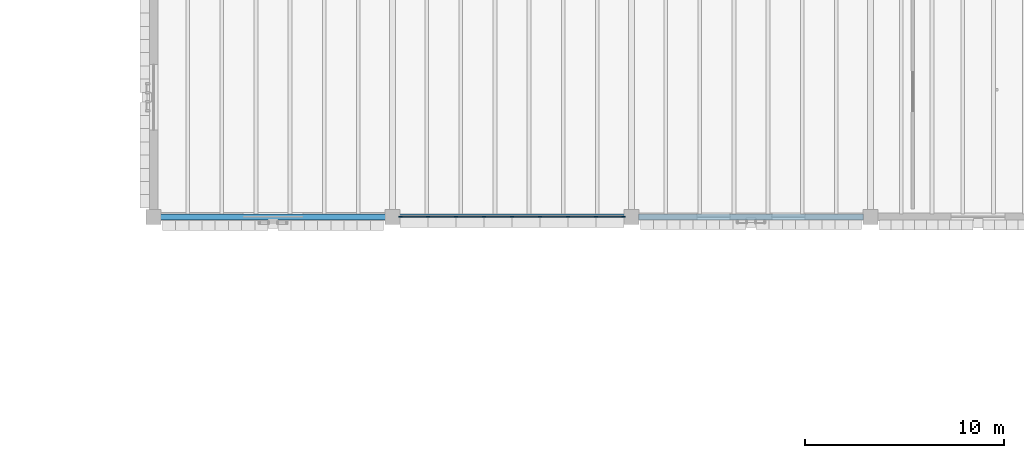
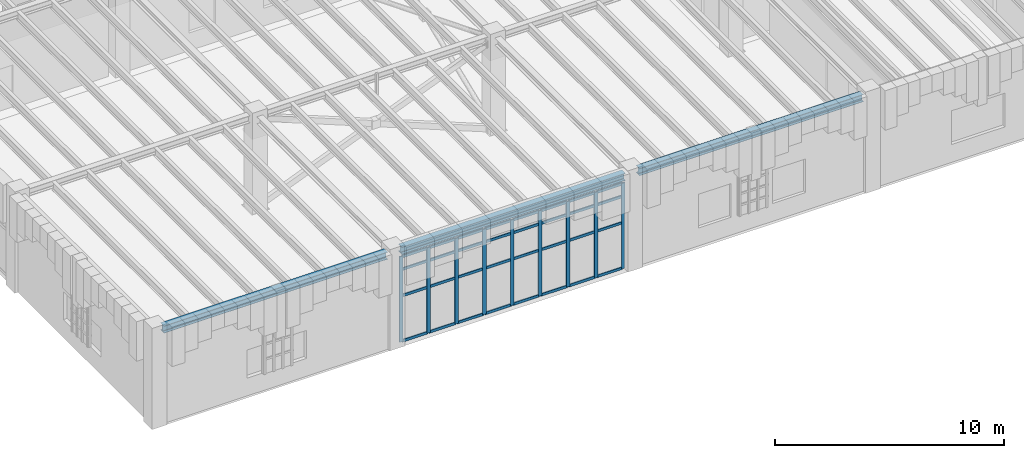
# One storey, part 33 of 103: 41 members, 3 beams, 1 element without a shape of its own.
"""IFC4 building model written with IfcOpenShell, lengths in metres."""

import ifcopenshell
import ifcopenshell.guid

model = None  # the IFC model being written
_history = None  # IfcOwnerHistory: only IFC2X3 demands one
_inside = {}  # id of a spatial element -> (the spatial element, [elements in it])
_under = {}  # id of a project, library or spatial element -> (it, [spatial elements below it])
_declared = {}  # id of a project -> (the project, [libraries it declares])
_typed = {}  # id of a type object -> (the type object, [elements of that type])
_made_of = {}  # id of a material, layer set ... -> (it, [elements and type objects made of it])


def new_model(schema):
    """Start an empty IFC model of exactly this schema.

    Asked for "IFC4X3", IfcOpenShell would pick the latest addendum, in which some entities
    have other attributes; the version numbers below select the first issue.
    IFC2X3 requires an IfcOwnerHistory on every rooted entity: one is made here for all.
    """
    global model, _history
    if schema == "IFC4X3":
        model = ifcopenshell.file(schema_version=(4, 3, 0, 0))
    else:
        model = ifcopenshell.file(schema=schema)
    _inside.clear()
    _under.clear()
    _declared.clear()
    _typed.clear()
    _made_of.clear()
    _history = None
    if model.schema == "IFC2X3":
        org = make("IfcOrganization", Name="unknown")
        user = make(
            "IfcPersonAndOrganization",
            ThePerson=make("IfcPerson", FamilyName="unknown"),
            TheOrganization=org,
        )
        app = make(
            "IfcApplication",
            ApplicationDeveloper=org,
            Version="unknown",
            ApplicationFullName="unknown",
            ApplicationIdentifier="unknown",
        )
        _history = make(
            "IfcOwnerHistory",
            OwningUser=user,
            OwningApplication=app,
            ChangeAction="ADDED",
            CreationDate=0,
        )
    return model


def make(cls, **values):
    """One entity of the class cls with the attributes given. An attribute that is None is left unset."""
    return model.create_entity(
        cls, **{name: value for name, value in values.items() if value is not None}
    )


def rooted(cls, **values):
    """An entity with a GlobalId (a new one), such as an element, a storey or a relation."""
    return make(cls, GlobalId=ifcopenshell.guid.new(), OwnerHistory=_history, **values)


def si_unit(unit_type, name, prefix=None):
    """IfcSIUnit, for example si_unit("LENGTHUNIT", "METRE", prefix="MILLI")."""
    return make("IfcSIUnit", UnitType=unit_type, Prefix=prefix, Name=name)


def assignment(units):
    """IfcUnitAssignment: the units of a project."""
    return None if units is None else make("IfcUnitAssignment", Units=units)


def point(xyz):
    """IfcCartesianPoint."""
    return None if xyz is None else make("IfcCartesianPoint", Coordinates=xyz)


def direction(xyz):
    """IfcDirection."""
    return None if xyz is None else make("IfcDirection", DirectionRatios=xyz)


def frame(location, z_axis=None, x_axis=None):
    """IfcAxis2Placement3D, a coordinate frame: its origin and axes. An axis left out is left unset."""
    return make(
        "IfcAxis2Placement3D",
        Location=point(location),
        Axis=direction(z_axis),
        RefDirection=direction(x_axis),
    )


def frame_2d(location, x_axis=None):
    """IfcAxis2Placement2D, a coordinate frame in the plane: its origin and x axis."""
    return make(
        "IfcAxis2Placement2D", Location=point(location), RefDirection=direction(x_axis)
    )


def origin():
    """The frame at (0, 0, 0) with its axes left unset."""
    return frame((0.0, 0.0, 0.0))


def origin_2d():
    """The frame at (0, 0) in the plane with its x axis left unset."""
    return frame_2d((0.0, 0.0))


def place(relative_to, where):
    """IfcLocalPlacement: puts the frame where relative to a parent placement (None: the world)."""
    return make(
        "IfcLocalPlacement", PlacementRelTo=relative_to, RelativePlacement=where
    )


def context(
    kind, dimensions, precision=None, world=None, true_north=None, identifier=None
):
    """IfcGeometricRepresentationContext, for example the 3D "Model" context."""
    return make(
        "IfcGeometricRepresentationContext",
        ContextIdentifier=identifier,
        ContextType=kind,
        CoordinateSpaceDimension=dimensions,
        Precision=precision,
        WorldCoordinateSystem=world,
        TrueNorth=true_north,
    )


def subcontext(parent, identifier, kind, view, scale=None):
    """IfcGeometricRepresentationSubContext, for example "Body" below "Model"."""
    return make(
        "IfcGeometricRepresentationSubContext",
        ContextIdentifier=identifier,
        ContextType=kind,
        ParentContext=parent,
        TargetScale=scale,
        TargetView=view,
    )


def project(units=None, contexts=None):
    """IfcProject with its units and contexts."""
    return rooted(
        "IfcProject",
        Name="project",
        RepresentationContexts=contexts,
        UnitsInContext=assignment(units),
    )


def spatial(cls, under=None, at=None, **own):
    """A site, building, storey or space (cls), placed at a placement, below another one or the project."""
    s = rooted(cls, ObjectPlacement=at, **own)
    if under is not None:
        _under.setdefault(under.id(), (under, []))[1].append(s)
    return s


def profile(cls, at=None, kind="AREA", **sizes):
    """A parametric profile (cls). Its sizes go by their IFC names, for example OverallWidth=200.0."""
    return make(cls, ProfileType=kind, Position=at, **sizes)


def rectangle(**sizes):
    """IfcRectangleProfileDef."""
    return profile("IfcRectangleProfileDef", **sizes)


def i_section(**sizes):
    """IfcIShapeProfileDef."""
    return profile("IfcIShapeProfileDef", **sizes)


def extrude(swept, where, along, depth):
    """IfcExtrudedAreaSolid: the profile swept, set in the frame where, extruded along a direction by depth."""
    return make(
        "IfcExtrudedAreaSolid",
        SweptArea=swept,
        Position=where,
        ExtrudedDirection=direction(along),
        Depth=depth,
    )


def shape(context_of_items, identifier, shape_type, items):
    """IfcShapeRepresentation: the items that make up one representation, for example the "Body"."""
    return make(
        "IfcShapeRepresentation",
        ContextOfItems=context_of_items,
        RepresentationIdentifier=identifier,
        RepresentationType=shape_type,
        Items=items,
    )


def material(Name=None, Category=None):
    """IfcMaterial."""
    return make("IfcMaterial", Name=Name, Category=Category)


def layer(
    of_material, thickness, ventilated=None, Name=None, Category=None, Priority=None
):
    """IfcMaterialLayer: one layer of a wall or slab, of a material (None: an air gap)."""
    return make(
        "IfcMaterialLayer",
        Material=of_material,
        LayerThickness=thickness,
        IsVentilated=ventilated,
        Name=Name,
        Category=Category,
        Priority=Priority,
    )


def layer_set(layers, Name=None):
    """IfcMaterialLayerSet."""
    return make("IfcMaterialLayerSet", MaterialLayers=layers, LayerSetName=Name)


def material_profile(
    of_material, cross_section, Name=None, Category=None, Priority=None
):
    """IfcMaterialProfile: a cross section and its material."""
    return make(
        "IfcMaterialProfile",
        Name=Name,
        Material=of_material,
        Profile=cross_section,
        Priority=Priority,
        Category=Category,
    )


def profile_set(profiles, Name=None, composite=None):
    """IfcMaterialProfileSet."""
    return make(
        "IfcMaterialProfileSet",
        Name=Name,
        MaterialProfiles=profiles,
        CompositeProfile=composite,
    )


def made_of(thing, what):
    """Note that an element or type object is made of a material, layer set ...; save() writes the relation."""
    if what is not None:
        _made_of.setdefault(what.id(), (what, []))[1].append(thing)
    return thing


def type_object(cls, material=None, **own):
    """A type object (cls), such as IfcWallType, which elements share."""
    return made_of(rooted(cls, **own), material)


def element(
    cls,
    number,
    at=None,
    inside=None,
    cuts=None,
    type_object=None,
    material=None,
    context=None,
    identifier="Body",
    shape_type=None,
    held_by="IfcProductDefinitionShape",
    body=None,
    shapes=None,
    **own,
):
    """One element of the class cls, such as IfcWall. Its Tag is "e" and its number.

    at: its placement. inside: the storey or other place that contains it. cuts: it is an
    opening in that element (IfcRelVoidsElement). A single representation is given by context,
    identifier, shape_type and body (its items); several are given by shapes. held_by: the class
    of the entity that holds the representations. save() writes the other relations.
    """
    e = rooted(cls, Tag="e%d" % number, ObjectPlacement=at, **own)
    if body is not None:
        shapes = [shape(context, identifier, shape_type, body)]
    if shapes is not None:
        e.Representation = make(held_by, Representations=shapes)
    if inside is not None:
        _inside.setdefault(inside.id(), (inside, []))[1].append(e)
    if cuts is not None:
        rooted(
            "IfcRelVoidsElement", RelatingBuildingElement=cuts, RelatedOpeningElement=e
        )
    if type_object is not None:
        _typed.setdefault(type_object.id(), (type_object, []))[1].append(e)
    return made_of(e, material)


def aggregate(whole, parts):
    """IfcRelAggregates: a whole, such as a stair, and the parts it consists of."""
    return rooted("IfcRelAggregates", RelatingObject=whole, RelatedObjects=parts)


def save(model, path):
    """Write the relations noted so far, then the file.

    IfcRelAggregates (storeys below a building ...), IfcRelContainedInSpatialStructure (elements
    in a storey), IfcRelDefinesByType, IfcRelAssociatesMaterial and IfcRelDeclares: one each for
    every whole, place, type object, material and project.
    """
    for whole, parts in _under.values():
        aggregate(whole, parts)
    for where, things in _inside.values():
        rooted(
            "IfcRelContainedInSpatialStructure",
            RelatedElements=things,
            RelatingStructure=where,
        )
    for kind, things in _typed.values():
        rooted("IfcRelDefinesByType", RelatedObjects=things, RelatingType=kind)
    for what, things in _made_of.values():
        rooted("IfcRelAssociatesMaterial", RelatedObjects=things, RelatingMaterial=what)
    for by, libraries in _declared.values():
        rooted("IfcRelDeclares", RelatingContext=by, RelatedDefinitions=libraries)
    model.write(path)


model = new_model("IFC4")

# Units and contexts
model_context = context("Model", 3, precision=1e-05, world=origin(), true_north=direction((0.0, 1.0)))
body_context = subcontext(model_context, "Body", "Model", "MODEL_VIEW")
ifc_project = project(units=[si_unit("LENGTHUNIT", "METRE"), si_unit("AREAUNIT", "SQUARE_METRE"), si_unit("VOLUMEUNIT", "CUBIC_METRE"), si_unit("PLANEANGLEUNIT", "RADIAN"), si_unit("MASSUNIT", "GRAM", prefix="KILO")], contexts=[model_context])

# Site, building, storey
site_placement = place(None, origin())
site = spatial("IfcSite", under=ifc_project, at=site_placement, CompositionType="ELEMENT")
building_placement = place(site_placement, origin())
building = spatial("IfcBuilding", under=site, at=building_placement, Name="Zlatogorsky Bluff Art Gallery", CompositionType="ELEMENT")
storey_placement = place(building_placement, origin())
storey = spatial("IfcBuildingStorey", under=building, at=storey_placement, Name="L00", CompositionType="ELEMENT", Elevation=0.0)

# Beams
ifc_material_1 = material(Name="Steel S355", Category="steel")
ifc_material_profile_1 = material_profile(ifc_material_1, i_section(OverallWidth=0.300048828125, OverallDepth=0.389892578125, WebThickness=0.010986328125, FlangeThickness=0.01904296875, FilletRadius=0.027099609375, at=origin_2d()), Name="HEA 400")
ifc_profile_set_1 = profile_set([ifc_material_profile_1], Name="Steel S355")
beam_type = type_object("IfcBeamType", Name="Beam BM-09 HEA 400", PredefinedType="BEAM", material=ifc_profile_set_1)
for number, where, z_axis, x_axis, name in (
    (1, (120.35498046875, 26.39990234375, 4.945068359375), (1.0, 0.0, 0.0), (0.0, 1.0, 0.0), "Primary girder BM-09 L00 L-M/4"),
    (2, (132.35498046875, 26.39990234375, 4.945068359375), (1.0, 0.0, 0.0), (0.0, 1.0, 0.0), "Primary girder BM-09 L00 M-N/4"),
    (3, (144.35498046875, 26.39990234375, 4.945068359375), (1.0, 0.0, 0.0), (0.0, 1.0, 0.0), "Primary girder BM-09 L00 N-P/4"),
):
    element("IfcBeam", number, at=place(storey_placement, frame(where, z_axis=z_axis, x_axis=x_axis)), inside=storey, type_object=beam_type, Name=name, PredefinedType="BEAM", context=body_context, shape_type="SweptSolid", body=[
        extrude(i_section(OverallWidth=0.300048828125, OverallDepth=0.389892578125, WebThickness=0.010986328125, FlangeThickness=0.01904296875, FilletRadius=0.027099609375, at=origin_2d()), origin(), (0.0, 0.0, 1.0), 11.2900390625),
    ])

# Curtain wall, members
ifc_material_2 = material(Name="Anodised Bronze Aluminium and Low-Iron Triple Glazing", Category="aluminium")
ifc_layer = layer(ifc_material_2, 0.179931640625)
ifc_layer_set = layer_set([ifc_layer], Name="Curtain Wall CW-01")
curtain_wall_type = type_object("IfcCurtainWallType", Name="Curtain Wall CW-01", PredefinedType="USERDEFINED", material=ifc_layer_set)
curtain_wall_placement = place(storey_placement, origin())
curtain_wall = element("IfcCurtainWall", 4, at=curtain_wall_placement, inside=storey, type_object=curtain_wall_type, Name="Unitised curtain wall CW-01 L00 S 11.3", ObjectType="CURTAIN WALL", PredefinedType="USERDEFINED")
ifc_material_3 = material(Name="Anodised Bronze Aluminium", Category="aluminium")
ifc_material_profile_2 = material_profile(ifc_material_3, rectangle(XDim=0.06494140625, YDim=0.179931640625, at=origin_2d()), Name="ALU MULLION 65x180")
ifc_profile_set_2 = profile_set([ifc_material_profile_2], Name="Anodised Bronze Aluminium")
member_type_1 = type_object("IfcMemberType", Name="Curtain Mullion ML-01", PredefinedType="MULLION", material=ifc_profile_set_2)
member_1_placement = place(storey_placement, frame((132.402587890625, 26.39990234375, 0.0), z_axis=(0.0, 0.0, 1.0), x_axis=(0.0, 1.0, 0.0)))
member_1 = element("IfcMember", 5, at=member_1_placement, type_object=member_type_1, Name="CW-01 mullion 1", PredefinedType="MULLION", context=body_context, shape_type="SweptSolid", body=[
    extrude(rectangle(XDim=0.06494140625, YDim=0.179931640625, at=origin_2d()), origin(), (0.0, 0.0, 1.0), 4.56005859375),
])
member_2_placement = place(storey_placement, frame((133.777587890625, 26.39990234375, 0.0), z_axis=(0.0, 0.0, 1.0), x_axis=(0.0, 1.0, 0.0)))
member_2 = element("IfcMember", 6, at=member_2_placement, type_object=member_type_1, Name="CW-01 mullion 2", PredefinedType="MULLION", context=body_context, shape_type="SweptSolid", body=[
    extrude(rectangle(XDim=0.06494140625, YDim=0.179931640625, at=origin_2d()), origin(), (0.0, 0.0, 1.0), 4.56005859375),
])
member_3_placement = place(storey_placement, frame((135.18505859375, 26.39990234375, 0.0), z_axis=(0.0, 0.0, 1.0), x_axis=(0.0, 1.0, 0.0)))
member_3 = element("IfcMember", 7, at=member_3_placement, type_object=member_type_1, Name="CW-01 mullion 3", PredefinedType="MULLION", context=body_context, shape_type="SweptSolid", body=[
    extrude(rectangle(XDim=0.06494140625, YDim=0.179931640625, at=origin_2d()), origin(), (0.0, 0.0, 1.0), 4.56005859375),
])
member_4_placement = place(storey_placement, frame((136.592529296875, 26.39990234375, 0.0), z_axis=(0.0, 0.0, 1.0), x_axis=(0.0, 1.0, 0.0)))
member_4 = element("IfcMember", 8, at=member_4_placement, type_object=member_type_1, Name="CW-01 mullion 4", PredefinedType="MULLION", context=body_context, shape_type="SweptSolid", body=[
    extrude(rectangle(XDim=0.06494140625, YDim=0.179931640625, at=origin_2d()), origin(), (0.0, 0.0, 1.0), 4.56005859375),
])
member_5_placement = place(storey_placement, frame((138.0, 26.39990234375, 0.0), z_axis=(0.0, 0.0, 1.0), x_axis=(0.0, 1.0, 0.0)))
member_5 = element("IfcMember", 9, at=member_5_placement, type_object=member_type_1, Name="CW-01 mullion 5", PredefinedType="MULLION", context=body_context, shape_type="SweptSolid", body=[
    extrude(rectangle(XDim=0.06494140625, YDim=0.179931640625, at=origin_2d()), origin(), (0.0, 0.0, 1.0), 4.56005859375),
])
member_6_placement = place(storey_placement, frame((139.407470703125, 26.39990234375, 0.0), z_axis=(0.0, 0.0, 1.0), x_axis=(0.0, 1.0, 0.0)))
member_6 = element("IfcMember", 10, at=member_6_placement, type_object=member_type_1, Name="CW-01 mullion 6", PredefinedType="MULLION", context=body_context, shape_type="SweptSolid", body=[
    extrude(rectangle(XDim=0.06494140625, YDim=0.179931640625, at=origin_2d()), origin(), (0.0, 0.0, 1.0), 4.56005859375),
])
member_7_placement = place(storey_placement, frame((140.81494140625, 26.39990234375, 0.0), z_axis=(0.0, 0.0, 1.0), x_axis=(0.0, 1.0, 0.0)))
member_7 = element("IfcMember", 11, at=member_7_placement, type_object=member_type_1, Name="CW-01 mullion 7", PredefinedType="MULLION", context=body_context, shape_type="SweptSolid", body=[
    extrude(rectangle(XDim=0.06494140625, YDim=0.179931640625, at=origin_2d()), origin(), (0.0, 0.0, 1.0), 4.56005859375),
])
member_8_placement = place(storey_placement, frame((142.222412109375, 26.39990234375, 0.0), z_axis=(0.0, 0.0, 1.0), x_axis=(0.0, 1.0, 0.0)))
member_8 = element("IfcMember", 12, at=member_8_placement, type_object=member_type_1, Name="CW-01 mullion 8", PredefinedType="MULLION", context=body_context, shape_type="SweptSolid", body=[
    extrude(rectangle(XDim=0.06494140625, YDim=0.179931640625, at=origin_2d()), origin(), (0.0, 0.0, 1.0), 4.56005859375),
])
member_9_placement = place(storey_placement, frame((143.597412109375, 26.39990234375, 0.0), z_axis=(0.0, 0.0, 1.0), x_axis=(0.0, 1.0, 0.0)))
member_9 = element("IfcMember", 13, at=member_9_placement, type_object=member_type_1, Name="CW-01 mullion 9", PredefinedType="MULLION", context=body_context, shape_type="SweptSolid", body=[
    extrude(rectangle(XDim=0.06494140625, YDim=0.179931640625, at=origin_2d()), origin(), (0.0, 0.0, 1.0), 4.56005859375),
])
ifc_material_profile_3 = material_profile(ifc_material_3, rectangle(XDim=0.06494140625, YDim=0.139892578125, at=origin_2d()), Name="ALU TRANSOM 65x140")
ifc_profile_set_3 = profile_set([ifc_material_profile_3], Name="Anodised Bronze Aluminium")
member_type_2 = type_object("IfcMemberType", Name="Curtain Transom TR-01", PredefinedType="USERDEFINED", material=ifc_profile_set_3)
member_10_placement = place(storey_placement, frame((132.43505859375, 26.39990234375, 0.032470703125), z_axis=(1.0, 0.0, 0.0), x_axis=(0.0, 1.0, 0.0)))
member_10 = element("IfcMember", 14, at=member_10_placement, type_object=member_type_2, Name="CW-01 transom 1.1", ObjectType="TRANSOM", PredefinedType="USERDEFINED", context=body_context, shape_type="SweptSolid", body=[
    extrude(rectangle(XDim=0.06494140625, YDim=0.139892578125, at=origin_2d()), origin(), (0.0, 0.0, 1.0), 1.31005859375),
])
member_11_placement = place(storey_placement, frame((132.43505859375, 26.39990234375, 2.449951171875), z_axis=(1.0, 0.0, 0.0), x_axis=(0.0, 1.0, 0.0)))
member_11 = element("IfcMember", 15, at=member_11_placement, type_object=member_type_2, Name="CW-01 transom 1.2", ObjectType="TRANSOM", PredefinedType="USERDEFINED", context=body_context, shape_type="SweptSolid", body=[
    extrude(rectangle(XDim=0.06494140625, YDim=0.139892578125, at=origin_2d()), origin(), (0.0, 0.0, 1.0), 1.31005859375),
])
member_12_placement = place(storey_placement, frame((132.43505859375, 26.39990234375, 3.85009765625), z_axis=(1.0, 0.0, 0.0), x_axis=(0.0, 1.0, 0.0)))
member_12 = element("IfcMember", 16, at=member_12_placement, type_object=member_type_2, Name="CW-01 transom 1.3", ObjectType="TRANSOM", PredefinedType="USERDEFINED", context=body_context, shape_type="SweptSolid", body=[
    extrude(rectangle(XDim=0.06494140625, YDim=0.139892578125, at=origin_2d()), origin(), (0.0, 0.0, 1.0), 1.31005859375),
])
member_13_placement = place(storey_placement, frame((132.43505859375, 26.39990234375, 4.527587890625), z_axis=(1.0, 0.0, 0.0), x_axis=(0.0, 1.0, 0.0)))
member_13 = element("IfcMember", 17, at=member_13_placement, type_object=member_type_2, Name="CW-01 transom 1.4", ObjectType="TRANSOM", PredefinedType="USERDEFINED", context=body_context, shape_type="SweptSolid", body=[
    extrude(rectangle(XDim=0.06494140625, YDim=0.139892578125, at=origin_2d()), origin(), (0.0, 0.0, 1.0), 1.31005859375),
])
member_14_placement = place(storey_placement, frame((133.81005859375, 26.39990234375, 0.032470703125), z_axis=(1.0, 0.0, 0.0), x_axis=(0.0, 1.0, 0.0)))
member_14 = element("IfcMember", 18, at=member_14_placement, type_object=member_type_2, Name="CW-01 transom 2.1", ObjectType="TRANSOM", PredefinedType="USERDEFINED", context=body_context, shape_type="SweptSolid", body=[
    extrude(rectangle(XDim=0.06494140625, YDim=0.139892578125, at=origin_2d()), origin(), (0.0, 0.0, 1.0), 1.342529296875),
])
member_15_placement = place(storey_placement, frame((133.81005859375, 26.39990234375, 2.449951171875), z_axis=(1.0, 0.0, 0.0), x_axis=(0.0, 1.0, 0.0)))
member_15 = element("IfcMember", 19, at=member_15_placement, type_object=member_type_2, Name="CW-01 transom 2.2", ObjectType="TRANSOM", PredefinedType="USERDEFINED", context=body_context, shape_type="SweptSolid", body=[
    extrude(rectangle(XDim=0.06494140625, YDim=0.139892578125, at=origin_2d()), origin(), (0.0, 0.0, 1.0), 1.342529296875),
])
member_16_placement = place(storey_placement, frame((133.81005859375, 26.39990234375, 3.85009765625), z_axis=(1.0, 0.0, 0.0), x_axis=(0.0, 1.0, 0.0)))
member_16 = element("IfcMember", 20, at=member_16_placement, type_object=member_type_2, Name="CW-01 transom 2.3", ObjectType="TRANSOM", PredefinedType="USERDEFINED", context=body_context, shape_type="SweptSolid", body=[
    extrude(rectangle(XDim=0.06494140625, YDim=0.139892578125, at=origin_2d()), origin(), (0.0, 0.0, 1.0), 1.342529296875),
])
member_17_placement = place(storey_placement, frame((133.81005859375, 26.39990234375, 4.527587890625), z_axis=(1.0, 0.0, 0.0), x_axis=(0.0, 1.0, 0.0)))
member_17 = element("IfcMember", 21, at=member_17_placement, type_object=member_type_2, Name="CW-01 transom 2.4", ObjectType="TRANSOM", PredefinedType="USERDEFINED", context=body_context, shape_type="SweptSolid", body=[
    extrude(rectangle(XDim=0.06494140625, YDim=0.139892578125, at=origin_2d()), origin(), (0.0, 0.0, 1.0), 1.342529296875),
])
member_18_placement = place(storey_placement, frame((135.217529296875, 26.39990234375, 0.032470703125), z_axis=(1.0, 0.0, 0.0), x_axis=(0.0, 1.0, 0.0)))
member_18 = element("IfcMember", 22, at=member_18_placement, type_object=member_type_2, Name="CW-01 transom 3.1", ObjectType="TRANSOM", PredefinedType="USERDEFINED", context=body_context, shape_type="SweptSolid", body=[
    extrude(rectangle(XDim=0.06494140625, YDim=0.139892578125, at=origin_2d()), origin(), (0.0, 0.0, 1.0), 1.342529296875),
])
member_19_placement = place(storey_placement, frame((135.217529296875, 26.39990234375, 2.449951171875), z_axis=(1.0, 0.0, 0.0), x_axis=(0.0, 1.0, 0.0)))
member_19 = element("IfcMember", 23, at=member_19_placement, type_object=member_type_2, Name="CW-01 transom 3.2", ObjectType="TRANSOM", PredefinedType="USERDEFINED", context=body_context, shape_type="SweptSolid", body=[
    extrude(rectangle(XDim=0.06494140625, YDim=0.139892578125, at=origin_2d()), origin(), (0.0, 0.0, 1.0), 1.342529296875),
])
member_20_placement = place(storey_placement, frame((135.217529296875, 26.39990234375, 3.85009765625), z_axis=(1.0, 0.0, 0.0), x_axis=(0.0, 1.0, 0.0)))
member_20 = element("IfcMember", 24, at=member_20_placement, type_object=member_type_2, Name="CW-01 transom 3.3", ObjectType="TRANSOM", PredefinedType="USERDEFINED", context=body_context, shape_type="SweptSolid", body=[
    extrude(rectangle(XDim=0.06494140625, YDim=0.139892578125, at=origin_2d()), origin(), (0.0, 0.0, 1.0), 1.342529296875),
])
member_21_placement = place(storey_placement, frame((135.217529296875, 26.39990234375, 4.527587890625), z_axis=(1.0, 0.0, 0.0), x_axis=(0.0, 1.0, 0.0)))
member_21 = element("IfcMember", 25, at=member_21_placement, type_object=member_type_2, Name="CW-01 transom 3.4", ObjectType="TRANSOM", PredefinedType="USERDEFINED", context=body_context, shape_type="SweptSolid", body=[
    extrude(rectangle(XDim=0.06494140625, YDim=0.139892578125, at=origin_2d()), origin(), (0.0, 0.0, 1.0), 1.342529296875),
])
member_22_placement = place(storey_placement, frame((136.625, 26.39990234375, 0.032470703125), z_axis=(1.0, 0.0, 0.0), x_axis=(0.0, 1.0, 0.0)))
member_22 = element("IfcMember", 26, at=member_22_placement, type_object=member_type_2, Name="CW-01 transom 4.1", ObjectType="TRANSOM", PredefinedType="USERDEFINED", context=body_context, shape_type="SweptSolid", body=[
    extrude(rectangle(XDim=0.06494140625, YDim=0.139892578125, at=origin_2d()), origin(), (0.0, 0.0, 1.0), 1.342529296875),
])
member_23_placement = place(storey_placement, frame((136.625, 26.39990234375, 2.449951171875), z_axis=(1.0, 0.0, 0.0), x_axis=(0.0, 1.0, 0.0)))
member_23 = element("IfcMember", 27, at=member_23_placement, type_object=member_type_2, Name="CW-01 transom 4.2", ObjectType="TRANSOM", PredefinedType="USERDEFINED", context=body_context, shape_type="SweptSolid", body=[
    extrude(rectangle(XDim=0.06494140625, YDim=0.139892578125, at=origin_2d()), origin(), (0.0, 0.0, 1.0), 1.342529296875),
])
member_24_placement = place(storey_placement, frame((136.625, 26.39990234375, 3.85009765625), z_axis=(1.0, 0.0, 0.0), x_axis=(0.0, 1.0, 0.0)))
member_24 = element("IfcMember", 28, at=member_24_placement, type_object=member_type_2, Name="CW-01 transom 4.3", ObjectType="TRANSOM", PredefinedType="USERDEFINED", context=body_context, shape_type="SweptSolid", body=[
    extrude(rectangle(XDim=0.06494140625, YDim=0.139892578125, at=origin_2d()), origin(), (0.0, 0.0, 1.0), 1.342529296875),
])
member_25_placement = place(storey_placement, frame((136.625, 26.39990234375, 4.527587890625), z_axis=(1.0, 0.0, 0.0), x_axis=(0.0, 1.0, 0.0)))
member_25 = element("IfcMember", 29, at=member_25_placement, type_object=member_type_2, Name="CW-01 transom 4.4", ObjectType="TRANSOM", PredefinedType="USERDEFINED", context=body_context, shape_type="SweptSolid", body=[
    extrude(rectangle(XDim=0.06494140625, YDim=0.139892578125, at=origin_2d()), origin(), (0.0, 0.0, 1.0), 1.342529296875),
])
member_26_placement = place(storey_placement, frame((138.032470703125, 26.39990234375, 0.032470703125), z_axis=(1.0, 0.0, 0.0), x_axis=(0.0, 1.0, 0.0)))
member_26 = element("IfcMember", 30, at=member_26_placement, type_object=member_type_2, Name="CW-01 transom 5.1", ObjectType="TRANSOM", PredefinedType="USERDEFINED", context=body_context, shape_type="SweptSolid", body=[
    extrude(rectangle(XDim=0.06494140625, YDim=0.139892578125, at=origin_2d()), origin(), (0.0, 0.0, 1.0), 1.342529296875),
])
member_27_placement = place(storey_placement, frame((138.032470703125, 26.39990234375, 2.449951171875), z_axis=(1.0, 0.0, 0.0), x_axis=(0.0, 1.0, 0.0)))
member_27 = element("IfcMember", 31, at=member_27_placement, type_object=member_type_2, Name="CW-01 transom 5.2", ObjectType="TRANSOM", PredefinedType="USERDEFINED", context=body_context, shape_type="SweptSolid", body=[
    extrude(rectangle(XDim=0.06494140625, YDim=0.139892578125, at=origin_2d()), origin(), (0.0, 0.0, 1.0), 1.342529296875),
])
member_28_placement = place(storey_placement, frame((138.032470703125, 26.39990234375, 3.85009765625), z_axis=(1.0, 0.0, 0.0), x_axis=(0.0, 1.0, 0.0)))
member_28 = element("IfcMember", 32, at=member_28_placement, type_object=member_type_2, Name="CW-01 transom 5.3", ObjectType="TRANSOM", PredefinedType="USERDEFINED", context=body_context, shape_type="SweptSolid", body=[
    extrude(rectangle(XDim=0.06494140625, YDim=0.139892578125, at=origin_2d()), origin(), (0.0, 0.0, 1.0), 1.342529296875),
])
member_29_placement = place(storey_placement, frame((138.032470703125, 26.39990234375, 4.527587890625), z_axis=(1.0, 0.0, 0.0), x_axis=(0.0, 1.0, 0.0)))
member_29 = element("IfcMember", 33, at=member_29_placement, type_object=member_type_2, Name="CW-01 transom 5.4", ObjectType="TRANSOM", PredefinedType="USERDEFINED", context=body_context, shape_type="SweptSolid", body=[
    extrude(rectangle(XDim=0.06494140625, YDim=0.139892578125, at=origin_2d()), origin(), (0.0, 0.0, 1.0), 1.342529296875),
])
member_30_placement = place(storey_placement, frame((139.43994140625, 26.39990234375, 0.032470703125), z_axis=(1.0, 0.0, 0.0), x_axis=(0.0, 1.0, 0.0)))
member_30 = element("IfcMember", 34, at=member_30_placement, type_object=member_type_2, Name="CW-01 transom 6.1", ObjectType="TRANSOM", PredefinedType="USERDEFINED", context=body_context, shape_type="SweptSolid", body=[
    extrude(rectangle(XDim=0.06494140625, YDim=0.139892578125, at=origin_2d()), origin(), (0.0, 0.0, 1.0), 1.342529296875),
])
member_31_placement = place(storey_placement, frame((139.43994140625, 26.39990234375, 2.449951171875), z_axis=(1.0, 0.0, 0.0), x_axis=(0.0, 1.0, 0.0)))
member_31 = element("IfcMember", 35, at=member_31_placement, type_object=member_type_2, Name="CW-01 transom 6.2", ObjectType="TRANSOM", PredefinedType="USERDEFINED", context=body_context, shape_type="SweptSolid", body=[
    extrude(rectangle(XDim=0.06494140625, YDim=0.139892578125, at=origin_2d()), origin(), (0.0, 0.0, 1.0), 1.342529296875),
])
member_32_placement = place(storey_placement, frame((139.43994140625, 26.39990234375, 3.85009765625), z_axis=(1.0, 0.0, 0.0), x_axis=(0.0, 1.0, 0.0)))
member_32 = element("IfcMember", 36, at=member_32_placement, type_object=member_type_2, Name="CW-01 transom 6.3", ObjectType="TRANSOM", PredefinedType="USERDEFINED", context=body_context, shape_type="SweptSolid", body=[
    extrude(rectangle(XDim=0.06494140625, YDim=0.139892578125, at=origin_2d()), origin(), (0.0, 0.0, 1.0), 1.342529296875),
])
member_33_placement = place(storey_placement, frame((139.43994140625, 26.39990234375, 4.527587890625), z_axis=(1.0, 0.0, 0.0), x_axis=(0.0, 1.0, 0.0)))
member_33 = element("IfcMember", 37, at=member_33_placement, type_object=member_type_2, Name="CW-01 transom 6.4", ObjectType="TRANSOM", PredefinedType="USERDEFINED", context=body_context, shape_type="SweptSolid", body=[
    extrude(rectangle(XDim=0.06494140625, YDim=0.139892578125, at=origin_2d()), origin(), (0.0, 0.0, 1.0), 1.342529296875),
])
member_34_placement = place(storey_placement, frame((140.847412109375, 26.39990234375, 0.032470703125), z_axis=(1.0, 0.0, 0.0), x_axis=(0.0, 1.0, 0.0)))
member_34 = element("IfcMember", 38, at=member_34_placement, type_object=member_type_2, Name="CW-01 transom 7.1", ObjectType="TRANSOM", PredefinedType="USERDEFINED", context=body_context, shape_type="SweptSolid", body=[
    extrude(rectangle(XDim=0.06494140625, YDim=0.139892578125, at=origin_2d()), origin(), (0.0, 0.0, 1.0), 1.342529296875),
])
member_35_placement = place(storey_placement, frame((140.847412109375, 26.39990234375, 2.449951171875), z_axis=(1.0, 0.0, 0.0), x_axis=(0.0, 1.0, 0.0)))
member_35 = element("IfcMember", 39, at=member_35_placement, type_object=member_type_2, Name="CW-01 transom 7.2", ObjectType="TRANSOM", PredefinedType="USERDEFINED", context=body_context, shape_type="SweptSolid", body=[
    extrude(rectangle(XDim=0.06494140625, YDim=0.139892578125, at=origin_2d()), origin(), (0.0, 0.0, 1.0), 1.342529296875),
])
member_36_placement = place(storey_placement, frame((140.847412109375, 26.39990234375, 3.85009765625), z_axis=(1.0, 0.0, 0.0), x_axis=(0.0, 1.0, 0.0)))
member_36 = element("IfcMember", 40, at=member_36_placement, type_object=member_type_2, Name="CW-01 transom 7.3", ObjectType="TRANSOM", PredefinedType="USERDEFINED", context=body_context, shape_type="SweptSolid", body=[
    extrude(rectangle(XDim=0.06494140625, YDim=0.139892578125, at=origin_2d()), origin(), (0.0, 0.0, 1.0), 1.342529296875),
])
member_37_placement = place(storey_placement, frame((140.847412109375, 26.39990234375, 4.527587890625), z_axis=(1.0, 0.0, 0.0), x_axis=(0.0, 1.0, 0.0)))
member_37 = element("IfcMember", 41, at=member_37_placement, type_object=member_type_2, Name="CW-01 transom 7.4", ObjectType="TRANSOM", PredefinedType="USERDEFINED", context=body_context, shape_type="SweptSolid", body=[
    extrude(rectangle(XDim=0.06494140625, YDim=0.139892578125, at=origin_2d()), origin(), (0.0, 0.0, 1.0), 1.342529296875),
])
member_38_placement = place(storey_placement, frame((142.2548828125, 26.39990234375, 0.032470703125), z_axis=(1.0, 0.0, 0.0), x_axis=(0.0, 1.0, 0.0)))
member_38 = element("IfcMember", 42, at=member_38_placement, type_object=member_type_2, Name="CW-01 transom 8.1", ObjectType="TRANSOM", PredefinedType="USERDEFINED", context=body_context, shape_type="SweptSolid", body=[
    extrude(rectangle(XDim=0.06494140625, YDim=0.139892578125, at=origin_2d()), origin(), (0.0, 0.0, 1.0), 1.31005859375),
])
member_39_placement = place(storey_placement, frame((142.2548828125, 26.39990234375, 2.449951171875), z_axis=(1.0, 0.0, 0.0), x_axis=(0.0, 1.0, 0.0)))
member_39 = element("IfcMember", 43, at=member_39_placement, type_object=member_type_2, Name="CW-01 transom 8.2", ObjectType="TRANSOM", PredefinedType="USERDEFINED", context=body_context, shape_type="SweptSolid", body=[
    extrude(rectangle(XDim=0.06494140625, YDim=0.139892578125, at=origin_2d()), origin(), (0.0, 0.0, 1.0), 1.31005859375),
])
member_40_placement = place(storey_placement, frame((142.2548828125, 26.39990234375, 3.85009765625), z_axis=(1.0, 0.0, 0.0), x_axis=(0.0, 1.0, 0.0)))
member_40 = element("IfcMember", 44, at=member_40_placement, type_object=member_type_2, Name="CW-01 transom 8.3", ObjectType="TRANSOM", PredefinedType="USERDEFINED", context=body_context, shape_type="SweptSolid", body=[
    extrude(rectangle(XDim=0.06494140625, YDim=0.139892578125, at=origin_2d()), origin(), (0.0, 0.0, 1.0), 1.31005859375),
])
member_41_placement = place(storey_placement, frame((142.2548828125, 26.39990234375, 4.527587890625), z_axis=(1.0, 0.0, 0.0), x_axis=(0.0, 1.0, 0.0)))
member_41 = element("IfcMember", 45, at=member_41_placement, type_object=member_type_2, Name="CW-01 transom 8.4", ObjectType="TRANSOM", PredefinedType="USERDEFINED", context=body_context, shape_type="SweptSolid", body=[
    extrude(rectangle(XDim=0.06494140625, YDim=0.139892578125, at=origin_2d()), origin(), (0.0, 0.0, 1.0), 1.31005859375),
])
aggregate(curtain_wall, [member_1, member_2, member_3, member_4, member_5, member_6, member_7, member_8, member_9, member_10, member_11, member_12, member_13, member_14, member_15, member_16, member_17, member_18, member_19, member_20, member_21, member_22, member_23, member_24, member_25, member_26, member_27, member_28, member_29, member_30, member_31, member_32, member_33, member_34, member_35, member_36, member_37, member_38, member_39, member_40, member_41])

save(model, "model.ifc")
